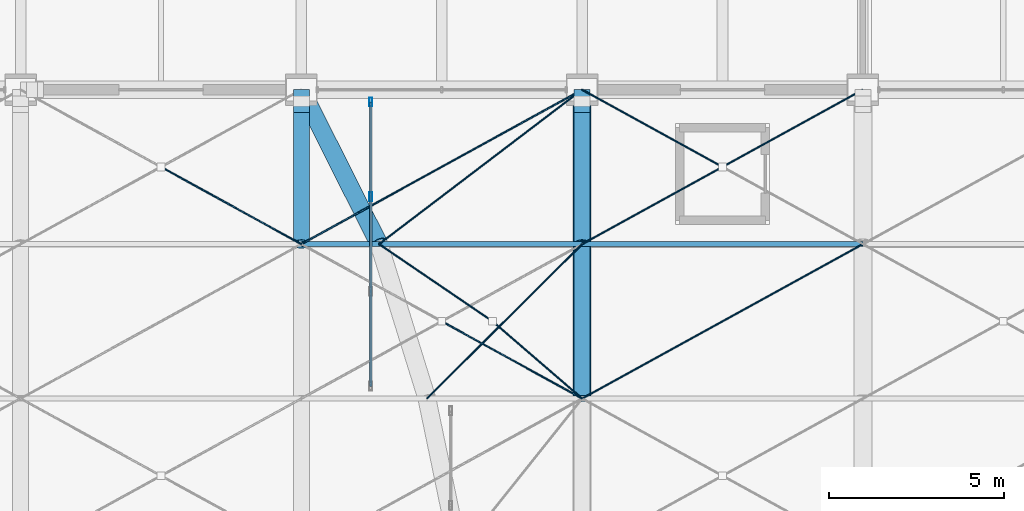
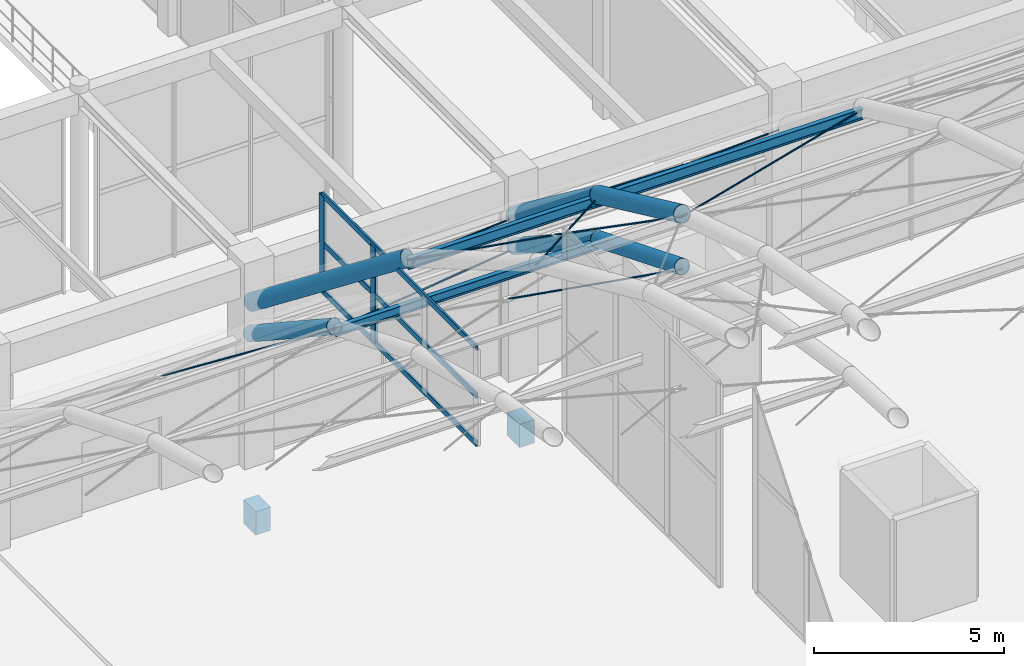
# One storey, part 77 of 163: 15 members, 11 beams, 1 element without a shape of its own.
"""IFC4 building model written with IfcOpenShell, lengths in metres."""

from ifc_helpers import new_model, si_unit, direction, frame, origin, origin_2d, place, context, subcontext, project, spatial, rectangle, hollow_rectangle, circle, hollow_circle, i_section, extrude, material, material_profile, profile_set, type_object, element, aggregate, save


model = new_model("IFC4")

# Units and contexts
model_context = context("Model", 3, precision=1e-05, world=origin(), true_north=direction((0.0, 1.0)))
body_context = subcontext(model_context, "Body", "Model", "MODEL_VIEW")
ifc_project = project(units=[si_unit("LENGTHUNIT", "METRE"), si_unit("AREAUNIT", "SQUARE_METRE"), si_unit("VOLUMEUNIT", "CUBIC_METRE"), si_unit("PLANEANGLEUNIT", "RADIAN"), si_unit("MASSUNIT", "GRAM", prefix="KILO")], contexts=[model_context])

# Site, building, storey
site_placement = place(None, origin())
site = spatial("IfcSite", under=ifc_project, at=site_placement, CompositionType="ELEMENT")
building_placement = place(site_placement, origin())
building = spatial("IfcBuilding", under=site, at=building_placement, Name="Varnabhumi Central Station", CompositionType="ELEMENT")
storey_placement = place(building_placement, frame((0.0, 0.0, 9.60009765625)))
storey = spatial("IfcBuildingStorey", under=building, at=storey_placement, Name="L02", CompositionType="ELEMENT", Elevation=9.60009765625)

# Beams
ifc_material_1 = material(Name="Structural steel E450", Category="steel")
ifc_material_profile_1 = material_profile(ifc_material_1, hollow_circle(Radius=0.228515625, WallThickness=0.01611328125, at=origin_2d()), Name="Structural steel E450", Category="steel")
ifc_profile_set_1 = profile_set([ifc_material_profile_1], Name="Structural steel E450")
beam_type_1 = type_object("IfcBeamType", Name="BM-ARCH-CHS457", PredefinedType="BEAM", material=ifc_profile_set_1)
beam_1_placement = place(storey_placement, frame((72.0, 75.60009765625, 6.844970703125), z_axis=(0.0, 0.835386835677, -0.549662473503), x_axis=(-1.0, 0.0, 0.0)))
element("IfcBeam", 1, at=beam_1_placement, inside=storey, type_object=beam_type_1, Name="Ticket Hall Vault Arch Rib 5 Seg 10", PredefinedType="BEAM", context=body_context, shape_type="SweptSolid", body=[
    extrude(hollow_circle(Radius=0.228515625, WallThickness=0.01611328125, at=origin_2d()), origin(), (0.0, 0.0, 1.0), 5.266845703125),
])
beam_2_placement = place(storey_placement, frame((80.0, 71.199951171875, 8.6279296875), z_axis=(0.0, 0.926804098242, -0.37554515505), x_axis=(-1.0, 0.0, 0.0)))
element("IfcBeam", 2, at=beam_2_placement, inside=storey, type_object=beam_type_1, Name="Ticket Hall Vault Arch Rib 6 Seg 9", PredefinedType="BEAM", context=body_context, shape_type="SweptSolid", body=[
    extrude(hollow_circle(Radius=0.228515625, WallThickness=0.01611328125, at=origin_2d()), origin(), (0.0, 0.0, 1.0), 4.74755859375),
])
beam_3_placement = place(storey_placement, frame((80.0, 75.60009765625, 6.844970703125), z_axis=(0.0, 0.835386835677, -0.549662473503), x_axis=(-1.0, 0.0, 0.0)))
element("IfcBeam", 3, at=beam_3_placement, inside=storey, type_object=beam_type_1, Name="Ticket Hall Vault Arch Rib 6 Seg 10", PredefinedType="BEAM", context=body_context, shape_type="SweptSolid", body=[
    extrude(hollow_circle(Radius=0.228515625, WallThickness=0.01611328125, at=origin_2d()), origin(), (0.0, 0.0, 1.0), 5.266845703125),
])
ifc_material_2 = material(Name="Structural steel E350", Category="steel")
ifc_material_profile_2 = material_profile(ifc_material_2, hollow_circle(Radius=0.25390625, WallThickness=0.02001953125, at=origin_2d()), Name="Structural steel E350", Category="steel")
ifc_profile_set_2 = profile_set([ifc_material_profile_2], Name="Structural steel E350")
beam_type_2 = type_object("IfcBeamType", Name="BM-ARCH-CHS508", PredefinedType="BEAM", material=ifc_profile_set_2)
beam_4_placement = place(storey_placement, frame((74.2138671875, 75.60009765625, 8.270751953125), z_axis=(-0.372681326467, 0.740677422319, -0.559021989701), x_axis=(-0.893294210393, -0.449472417037, 0.0)))
element("IfcBeam", 4, at=beam_4_placement, inside=storey, type_object=beam_type_2, Name="Departure Concourse Vault Arch Rib 1 Seg 10", PredefinedType="BEAM", context=body_context, shape_type="SweptSolid", body=[
    extrude(hollow_circle(Radius=0.25390625, WallThickness=0.02001953125, at=origin_2d()), origin(), (0.0, 0.0, 1.0), 5.9404296875),
])
beam_5_placement = place(storey_placement, frame((80.0, 71.199951171875, 10.31591796875), z_axis=(0.0, 0.906832494276, -0.421491194837), x_axis=(-1.0, 0.0, 0.0)))
element("IfcBeam", 5, at=beam_5_placement, inside=storey, type_object=beam_type_2, Name="Departure Concourse Vault Arch Rib 2 Seg 9", PredefinedType="BEAM", context=body_context, shape_type="SweptSolid", body=[
    extrude(hollow_circle(Radius=0.25390625, WallThickness=0.02001953125, at=origin_2d()), origin(), (0.0, 0.0, 1.0), 4.852294921875),
])
beam_6_placement = place(storey_placement, frame((80.0, 75.60009765625, 8.270751953125), z_axis=(0.0, 0.798178703242, -0.602420748058), x_axis=(-1.0, 0.0, 0.0)))
element("IfcBeam", 6, at=beam_6_placement, inside=storey, type_object=beam_type_2, Name="Departure Concourse Vault Arch Rib 2 Seg 10", PredefinedType="BEAM", context=body_context, shape_type="SweptSolid", body=[
    extrude(hollow_circle(Radius=0.25390625, WallThickness=0.02001953125, at=origin_2d()), origin(), (0.0, 0.0, 1.0), 5.512451171875),
])
ifc_material_profile_3 = material_profile(ifc_material_2, i_section(OverallWidth=0.139892578125, OverallDepth=0.300048828125, WebThickness=0.0078125, FlangeThickness=0.01318359375, FilletRadius=0.013916015625, at=origin_2d()), Name="Structural steel E350", Category="steel")
ifc_profile_set_3 = profile_set([ifc_material_profile_3], Name="Structural steel E350")
beam_type_3 = type_object("IfcBeamType", Name="BM-PUR-ISMB300", PredefinedType="LINTEL", material=ifc_profile_set_3)
beam_7_placement = place(storey_placement, frame((72.0, 75.60009765625, 6.695068359375), z_axis=(1.0, 0.0, 0.0), x_axis=(0.0, 1.0, 0.0)))
element("IfcBeam", 7, at=beam_7_placement, inside=storey, type_object=beam_type_3, Name="Ticket Hall Vault Purlin B5-L9", PredefinedType="LINTEL", context=body_context, shape_type="SweptSolid", body=[
    extrude(i_section(OverallWidth=0.139892578125, OverallDepth=0.300048828125, WebThickness=0.0078125, FlangeThickness=0.01318359375, FilletRadius=0.013916015625, at=origin_2d()), origin(), (0.0, 0.0, 1.0), 8.0),
])
ifc_material_profile_4 = material_profile(ifc_material_2, i_section(OverallWidth=0.139892578125, OverallDepth=0.35009765625, WebThickness=0.008056640625, FlangeThickness=0.01416015625, FilletRadius=0.013916015625, at=origin_2d()), Name="Structural steel E350", Category="steel")
ifc_profile_set_4 = profile_set([ifc_material_profile_4], Name="Structural steel E350")
beam_type_4 = type_object("IfcBeamType", Name="BM-PUR-ISMB350", PredefinedType="LINTEL", material=ifc_profile_set_4)
beam_8_placement = place(storey_placement, frame((74.2138671875, 75.60009765625, 8.095703125), z_axis=(1.0, 0.0, 0.0), x_axis=(0.0, 1.0, 0.0)))
element("IfcBeam", 8, at=beam_8_placement, inside=storey, type_object=beam_type_4, Name="Departure Concourse Vault Purlin B1-L9", PredefinedType="LINTEL", context=body_context, shape_type="SweptSolid", body=[
    extrude(i_section(OverallWidth=0.139892578125, OverallDepth=0.35009765625, WebThickness=0.008056640625, FlangeThickness=0.01416015625, FilletRadius=0.013916015625, at=origin_2d()), origin(), (0.0, 0.0, 1.0), 5.7861328125),
])
beam_9_placement = place(storey_placement, frame((80.0, 75.60009765625, 8.095703125), z_axis=(1.0, 0.0, 0.0), x_axis=(0.0, 1.0, 0.0)))
element("IfcBeam", 9, at=beam_9_placement, inside=storey, type_object=beam_type_4, Name="Departure Concourse Vault Purlin B2-L9", PredefinedType="LINTEL", context=body_context, shape_type="SweptSolid", body=[
    extrude(i_section(OverallWidth=0.139892578125, OverallDepth=0.35009765625, WebThickness=0.008056640625, FlangeThickness=0.01416015625, FilletRadius=0.013916015625, at=origin_2d()), origin(), (0.0, 0.0, 1.0), 8.0),
])
ifc_material_3 = material(Name="Concrete M40", Category="concrete")
ifc_material_profile_5 = material_profile(ifc_material_3, rectangle(XDim=0.449951171875, YDim=0.75, at=origin_2d()), Name="Concrete M40", Category="concrete")
ifc_profile_set_5 = profile_set([ifc_material_profile_5], Name="Concrete M40")
beam_type_5 = type_object("IfcBeamType", Name="BM-RC-450x750", PredefinedType="BEAM", material=ifc_profile_set_5)
for number, where, z_axis, x_axis, name in (
    (10, (72.0, 80.0, -1.675048828125), (0.0, -1.0, 0.0), (1.0, 0.0, 0.0), "Concourse Bridge 650mm Corbel Seat 72-N"),
    (11, (80.0, 80.0, -1.675048828125), (0.0, -1.0, 0.0), (1.0, 0.0, 0.0), "Concourse Bridge 650mm Corbel Seat 80-N"),
):
    element("IfcBeam", number, at=place(storey_placement, frame(where, z_axis=z_axis, x_axis=x_axis)), inside=storey, type_object=beam_type_5, Name=name, PredefinedType="BEAM", context=body_context, shape_type="SweptSolid", body=[
        extrude(rectangle(XDim=0.449951171875, YDim=0.75, at=origin_2d()), origin(), (0.0, 0.0, 1.0), 0.64990234375),
    ])

# Curtain wall, members
ifc_material_4 = material(Name="Anodised aluminium 6063-T6", Category="aluminium")
curtain_wall_type = type_object("IfcCurtainWallType", Name="CW-VAULT-ARCH-V4", PredefinedType="NOTDEFINED", material=ifc_material_4)
curtain_wall_placement = place(storey_placement, origin())
curtain_wall = element("IfcCurtainWall", 12, at=curtain_wall_placement, inside=storey, type_object=curtain_wall_type, Name="Curtain Wall CW-V45", PredefinedType="NOTDEFINED")
ifc_material_profile_6 = material_profile(ifc_material_4, hollow_rectangle(XDim=0.080078125, YDim=0.25, WallThickness=0.0048828125, InnerFilletRadius=0.0009765625, OuterFilletRadius=0.006103515625, at=origin_2d()), Name="Anodised aluminium 6063-T6", Category="aluminium")
ifc_profile_set_6 = profile_set([ifc_material_profile_6], Name="Anodised aluminium 6063-T6")
member_type_1 = type_object("IfcMemberType", Name="CW-MUL-250", PredefinedType="MULLION", material=ifc_profile_set_6)
member_1_placement = place(storey_placement, frame((73.98095703125, 76.949951171875, 4.849853515625), z_axis=(0.0, 0.0, 1.0), x_axis=(1.0, 0.0, 0.0)))
member_1 = element("IfcMember", 13, at=member_1_placement, type_object=member_type_1, Name="Curtain Wall Mullion CW-V45-M3", PredefinedType="MULLION", context=body_context, shape_type="SweptSolid", body=[
    extrude(hollow_rectangle(XDim=0.080078125, YDim=0.25, WallThickness=0.0048828125, InnerFilletRadius=0.0009765625, OuterFilletRadius=0.006103515625, at=origin_2d()), origin(), (0.0, 0.0, 1.0), 3.071044921875),
])
member_2_placement = place(storey_placement, frame((73.98095703125, 79.64990234375, 4.849853515625), z_axis=(0.0, 0.0, 1.0), x_axis=(1.0, 0.0, 0.0)))
member_2 = element("IfcMember", 14, at=member_2_placement, type_object=member_type_1, Name="Curtain Wall Mullion CW-V45-M4", PredefinedType="MULLION", context=body_context, shape_type="SweptSolid", body=[
    extrude(hollow_rectangle(XDim=0.080078125, YDim=0.25, WallThickness=0.0048828125, InnerFilletRadius=0.0009765625, OuterFilletRadius=0.006103515625, at=origin_2d()), origin(), (0.0, 0.0, 1.0), 3.071044921875),
])
ifc_material_profile_7 = material_profile(ifc_material_4, hollow_rectangle(XDim=0.06494140625, YDim=0.179931640625, WallThickness=0.00390625, InnerFilletRadius=0.001953125, OuterFilletRadius=0.006103515625, at=origin_2d()), Name="Anodised aluminium 6063-T6", Category="aluminium")
ifc_profile_set_7 = profile_set([ifc_material_profile_7], Name="Anodised aluminium 6063-T6")
member_type_2 = type_object("IfcMemberType", Name="CW-TR-180", PredefinedType="USERDEFINED", material=ifc_profile_set_7)
member_3_placement = place(storey_placement, frame((73.98095703125, 71.550048828125, 4.849853515625), z_axis=(0.0, 1.0, 0.0), x_axis=(-1.0, 0.0, 0.0)))
member_3 = element("IfcMember", 15, at=member_3_placement, type_object=member_type_2, Name="Curtain Wall Transom CW-V45-T1", ObjectType="TRANSOM", PredefinedType="USERDEFINED", context=body_context, shape_type="SweptSolid", body=[
    extrude(hollow_rectangle(XDim=0.06494140625, YDim=0.179931640625, WallThickness=0.00390625, InnerFilletRadius=0.001953125, OuterFilletRadius=0.006103515625, at=origin_2d()), origin(), (0.0, 0.0, 1.0), 8.099853515625),
])
member_4_placement = place(storey_placement, frame((73.98095703125, 71.550048828125, 6.38525390625), z_axis=(0.0, 1.0, 0.0), x_axis=(-1.0, 0.0, 0.0)))
member_4 = element("IfcMember", 16, at=member_4_placement, type_object=member_type_2, Name="Curtain Wall Transom CW-V45-T2", ObjectType="TRANSOM", PredefinedType="USERDEFINED", context=body_context, shape_type="SweptSolid", body=[
    extrude(hollow_rectangle(XDim=0.06494140625, YDim=0.179931640625, WallThickness=0.00390625, InnerFilletRadius=0.001953125, OuterFilletRadius=0.006103515625, at=origin_2d()), origin(), (0.0, 0.0, 1.0), 8.099853515625),
])
member_5_placement = place(storey_placement, frame((73.98095703125, 71.550048828125, 7.9208984375), z_axis=(0.0, 1.0, 0.0), x_axis=(-1.0, 0.0, 0.0)))
member_5 = element("IfcMember", 17, at=member_5_placement, type_object=member_type_2, Name="Curtain Wall Transom CW-V45-T3", ObjectType="TRANSOM", PredefinedType="USERDEFINED", context=body_context, shape_type="SweptSolid", body=[
    extrude(hollow_rectangle(XDim=0.06494140625, YDim=0.179931640625, WallThickness=0.00390625, InnerFilletRadius=0.001953125, OuterFilletRadius=0.006103515625, at=origin_2d()), origin(), (0.0, 0.0, 1.0), 8.099853515625),
])
aggregate(curtain_wall, [member_1, member_2, member_3, member_4, member_5])

# Members
ifc_material_5 = material(Name="Spiral-strand steel S1570", Category="steel")
ifc_material_profile_8 = material_profile(ifc_material_5, circle(Radius=0.02099609375, at=origin_2d()), Name="Spiral-strand steel S1570", Category="steel")
ifc_profile_set_8 = profile_set([ifc_material_profile_8], Name="Spiral-strand steel S1570")
member_type_3 = type_object("IfcMemberType", Name="MBR-CABLE-D42", PredefinedType="USERDEFINED", material=ifc_profile_set_8)
member_6_placement = place(storey_placement, frame((68.0, 77.800048828125, 5.3173828125), z_axis=(0.8352374511, -0.459370402335, 0.302253591771), x_axis=(0.481910537812, 0.876220425204, 0.0)))
element("IfcMember", 18, at=member_6_placement, inside=storey, type_object=member_type_3, Name="Ticket Hall Vault Cable-Net Split Tie B4-P10B2", ObjectType="TENSION CABLE", PredefinedType="USERDEFINED", context=body_context, shape_type="SweptSolid", body=[
    extrude(circle(Radius=0.02099609375, at=origin_2d()), origin(), (0.0, 0.0, 1.0), 4.7890625),
])
member_7_placement = place(storey_placement, frame((76.0, 73.39990234375, 7.656494140625), z_axis=(0.8599803643, -0.472978702558, 0.191637470096), x_axis=(0.481910537812, 0.876220425204, 0.0)))
element("IfcMember", 19, at=member_7_placement, inside=storey, type_object=member_type_3, Name="Ticket Hall Vault Cable-Net Split Tie B5-P9B2", ObjectType="TENSION CABLE", PredefinedType="USERDEFINED", context=body_context, shape_type="SweptSolid", body=[
    extrude(circle(Radius=0.02099609375, at=origin_2d()), origin(), (0.0, 0.0, 1.0), 4.6513671875),
])
member_8_placement = place(storey_placement, frame((72.0, 75.60009765625, 6.764892578125), z_axis=(0.8352374511, 0.459370402335, -0.302253591771), x_axis=(-0.481910537812, 0.876220425204, 0.0)))
element("IfcMember", 20, at=member_8_placement, inside=storey, type_object=member_type_3, Name="Ticket Hall Vault Cable-Net Tie B5-P10A", ObjectType="TENSION CABLE", PredefinedType="USERDEFINED", context=body_context, shape_type="SweptSolid", body=[
    extrude(circle(Radius=0.02099609375, at=origin_2d()), origin(), (0.0, 0.0, 1.0), 9.578125),
])
ifc_material_profile_9 = material_profile(ifc_material_5, circle(Radius=0.027099609375, at=origin_2d()), Name="Spiral-strand steel S1570", Category="steel")
ifc_profile_set_9 = profile_set([ifc_material_profile_9], Name="Spiral-strand steel S1570")
member_type_4 = type_object("IfcMemberType", Name="MBR-CABLE-D54", PredefinedType="USERDEFINED", material=ifc_profile_set_9)
member_9_placement = place(storey_placement, frame((75.577392578125, 71.199951171875, 10.23583984375), z_axis=(0.673639286459, 0.670218098805, -0.311476823814), x_axis=(-0.705304345535, 0.708904634044, 0.0)))
element("IfcMember", 21, at=member_9_placement, inside=storey, type_object=member_type_4, Name="Departure Concourse Vault Cable-Net Tie B1-P9A", ObjectType="TENSION CABLE", PredefinedType="USERDEFINED", context=body_context, shape_type="SweptSolid", body=[
    extrude(circle(Radius=0.027099609375, at=origin_2d()), origin(), (0.0, 0.0, 1.0), 6.565185546875),
])
member_10_placement = place(storey_placement, frame((74.2138671875, 75.60009765625, 8.19091796875), z_axis=(0.79991072431, -0.544224327909, 0.252908509241), x_axis=(0.562511463414, 0.826789485617, 0.0)))
element("IfcMember", 22, at=member_10_placement, inside=storey, type_object=member_type_4, Name="Departure Concourse Vault Cable-Net Split Tie B1-P9B1", ObjectType="TENSION CABLE", PredefinedType="USERDEFINED", context=body_context, shape_type="SweptSolid", body=[
    extrude(circle(Radius=0.027099609375, at=origin_2d()), origin(), (0.0, 0.0, 1.0), 4.042724609375),
])
member_11_placement = place(storey_placement, frame((77.44775390625, 73.39990234375, 9.21337890625), z_axis=(0.724813396465, -0.624765019662, 0.29036909359), x_axis=(0.652895188911, 0.757448263775, 0.0)))
element("IfcMember", 23, at=member_11_placement, inside=storey, type_object=member_type_4, Name="Departure Concourse Vault Cable-Net Split Tie B1-P9B2", ObjectType="TENSION CABLE", PredefinedType="USERDEFINED", context=body_context, shape_type="SweptSolid", body=[
    extrude(circle(Radius=0.027099609375, at=origin_2d()), origin(), (0.0, 0.0, 1.0), 3.521240234375),
])
member_12_placement = place(storey_placement, frame((74.2138671875, 75.60009765625, 8.19091796875), z_axis=(0.724014686313, 0.550556653026, -0.415559990629), x_axis=(-0.605296142156, 0.796000364504, 0.0)))
element("IfcMember", 24, at=member_12_placement, inside=storey, type_object=member_type_4, Name="Departure Concourse Vault Cable-Net Tie B1-P10A", ObjectType="TENSION CABLE", PredefinedType="USERDEFINED", context=body_context, shape_type="SweptSolid", body=[
    extrude(circle(Radius=0.027099609375, at=origin_2d()), origin(), (0.0, 0.0, 1.0), 7.99169921875),
])
member_13_placement = place(storey_placement, frame((80.0, 71.199951171875, 10.23583984375), z_axis=(0.855025934416, 0.470279919921, -0.218557654623), x_axis=(-0.481931067474, 0.876209133828, 0.0)))
element("IfcMember", 25, at=member_13_placement, inside=storey, type_object=member_type_4, Name="Departure Concourse Vault Cable-Net Tie B2-P9A", ObjectType="TENSION CABLE", PredefinedType="USERDEFINED", context=body_context, shape_type="SweptSolid", body=[
    extrude(circle(Radius=0.027099609375, at=origin_2d()), origin(), (0.0, 0.0, 1.0), 9.3564453125),
])
member_14_placement = place(storey_placement, frame((80.0, 75.60009765625, 8.19091796875), z_axis=(0.823437214719, 0.452880416372, -0.341833997553), x_axis=(-0.481910537812, 0.876220425204, 0.0)))
element("IfcMember", 26, at=member_14_placement, inside=storey, type_object=member_type_4, Name="Departure Concourse Vault Cable-Net Tie B2-P10A", ObjectType="TENSION CABLE", PredefinedType="USERDEFINED", context=body_context, shape_type="SweptSolid", body=[
    extrude(circle(Radius=0.027099609375, at=origin_2d()), origin(), (0.0, 0.0, 1.0), 9.71533203125),
])
member_15_placement = place(storey_placement, frame((80.0, 80.0, 4.869873046875), z_axis=(0.823444287919, -0.452884306545, 0.34181180433), x_axis=(0.481910537812, 0.876220425204, 0.0)))
element("IfcMember", 27, at=member_15_placement, inside=storey, type_object=member_type_4, Name="Departure Concourse Vault Cable-Net Split Tie B2-P10B1", ObjectType="TENSION CABLE", PredefinedType="USERDEFINED", context=body_context, shape_type="SweptSolid", body=[
    extrude(circle(Radius=0.027099609375, at=origin_2d()), origin(), (0.0, 0.0, 1.0), 4.857666015625),
])

save(model, "model.ifc")
